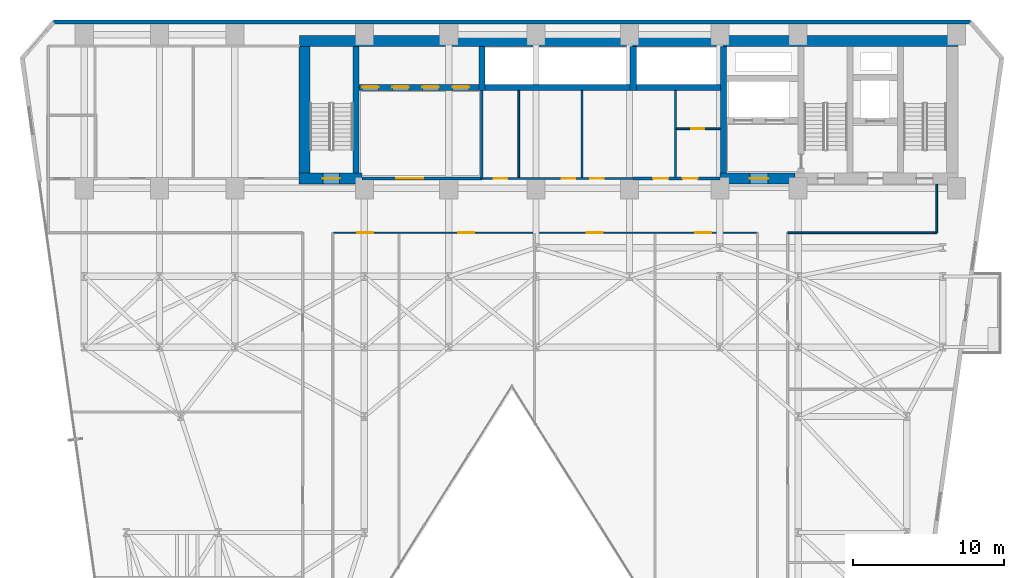
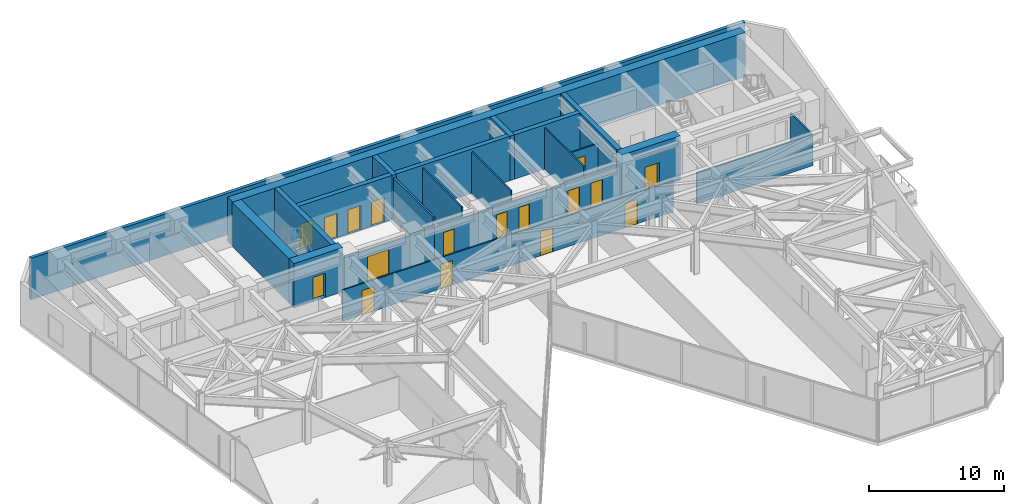
# One storey, part 20 of 25: 23 walls, 17 doors, 17 openings.
"""IFC4 building model written with IfcOpenShell, lengths in metres."""

from ifc_helpers import new_model, si_unit, direction, frame, frame_2d, origin, place, context, subcontext, project, spatial, rectangle, extrude, material, layer, layer_set, type_object, element, fill, save


model = new_model("IFC4")

# Units and contexts
model_context = context("Model", 3, precision=1e-05, world=origin(), true_north=direction((0.0, 1.0)))
body_context = subcontext(model_context, "Body", "Model", "MODEL_VIEW")
ifc_project = project(units=[si_unit("LENGTHUNIT", "METRE"), si_unit("AREAUNIT", "SQUARE_METRE"), si_unit("VOLUMEUNIT", "CUBIC_METRE"), si_unit("PLANEANGLEUNIT", "RADIAN"), si_unit("MASSUNIT", "GRAM", prefix="KILO")], contexts=[model_context])

# Site, building, storey
site_placement = place(None, origin())
site = spatial("IfcSite", under=ifc_project, at=site_placement, CompositionType="ELEMENT")
building_placement = place(site_placement, origin())
building = spatial("IfcBuilding", under=site, at=building_placement, Name="Kravanh Interchange Tower", CompositionType="ELEMENT")
storey_placement = place(building_placement, frame((0.0, 0.0, 49.5)))
storey = spatial("IfcBuildingStorey", under=building, at=storey_placement, Name="L11", CompositionType="ELEMENT", Elevation=49.5)

# Wall
ifc_material_1 = material(Name="Double Acoustic Gypsum Board and Mineral Wool")
ifc_layer_1 = layer(ifc_material_1, 0.1201171875)
ifc_layer_set_1 = layer_set([ifc_layer_1], Name="Acoustic Office Drywall Partition 120mm")
wall_type_1 = type_object("IfcWallType", Name="Acoustic Office Drywall Partition 120mm", PredefinedType="PARTITIONING", material=ifc_layer_set_1)
wall_1_placement = place(storey_placement, frame((47.85009765625, 38.068115234375, 0.0), z_axis=(0.0, 0.0, 1.0), x_axis=(0.0, 1.0, 0.0)))
element("IfcWall", 1, at=wall_1_placement, inside=storey, type_object=wall_type_1, Name="L11 Interior Partition 2", PredefinedType="PARTITIONING", context=body_context, shape_type="SweptSolid", body=[
    extrude(rectangle(XDim=5.77392578125, YDim=0.1201171875, at=frame_2d((2.886962890625, 0.0))), origin(), (0.0, 0.0, 1.0), 3.739990234375),
])

# Wall, opening, door
wall_2_placement = place(storey_placement, frame((47.91796875, 41.300048828125, 0.0), z_axis=(0.0, 0.0, 1.0), x_axis=(1.0, 0.0, 0.0)))
wall_2 = element("IfcWall", 2, at=wall_2_placement, inside=storey, type_object=wall_type_1, Name="L11 Interior Partition 3", PredefinedType="PARTITIONING", context=body_context, shape_type="SweptSolid", body=[
    extrude(rectangle(XDim=2.924072265625, YDim=0.1201171875, at=frame_2d((1.4619140625, 0.0))), origin(), (0.0, 0.0, 1.0), 2.81298828125),
])
opening_1_placement = place(wall_2_placement, frame((0.9912109375, 0.0, 0.0)))
opening_1 = element("IfcOpeningElement", 3, at=opening_1_placement, cuts=wall_2, Name="Opening D-85", PredefinedType="OPENING", context=body_context, shape_type="SweptSolid", body=[
    extrude(rectangle(XDim=0.85009765625, YDim=2.10009765625, at=frame_2d((0.425048828125, 1.050048828125))), frame((0.0, 0.070068359375, 0.0), z_axis=(0.0, -1.0, 0.0), x_axis=(1.0, 0.0, 0.0)), (0.0, 0.0, 1.0), 0.14013671875),
])
ifc_material_2 = material(Name="Engineered Teak Veneer Timber", Category="wood")
door_type_1 = type_object("IfcDoorType", Name="En-Suite Timber Door 850x2100", OperationType="NOTDEFINED", PredefinedType="DOOR", material=ifc_material_2)
door_1_placement = place(opening_1_placement, origin())
door_1 = element("IfcDoor", 4, at=door_1_placement, inside=storey, type_object=door_type_1, Name="L11 Core Supply Inner Door", OperationType="SINGLE_SWING_LEFT", OverallHeight=2.10009765625, OverallWidth=0.85009765625, PredefinedType="DOOR", context=body_context, shape_type="SweptSolid", body=[
    extrude(rectangle(XDim=0.85009765625, YDim=2.10009765625, at=frame_2d((0.425048828125, 1.050048828125))), frame((0.0, 0.02490234375, 0.0), z_axis=(0.0, -1.0, 0.0), x_axis=(1.0, 0.0, 0.0)), (0.0, 0.0, 1.0), 0.050048828125),
])
fill(opening_1, door_1)

# Walls
for number, where, z_axis, x_axis, name in (
    (5, (37.449951171875, 38.068115234375, 0.0), (0.0, 0.0, 1.0), (0.0, 1.0, 0.0), "L11 Interior Partition 7"),
    (6, (41.64990234375, 38.068115234375, 0.0), (0.0, 0.0, 1.0), (0.0, 1.0, 0.0), "L11 Interior Partition 8"),
):
    element("IfcWall", number, at=place(storey_placement, frame(where, z_axis=z_axis, x_axis=x_axis)), inside=storey, type_object=wall_type_1, Name=name, PredefinedType="PARTITIONING", context=body_context, shape_type="SweptSolid", body=[
        extrude(rectangle(XDim=5.77392578125, YDim=0.1201171875, at=frame_2d((2.886962890625, 0.0))), origin(), (0.0, 0.0, 1.0), 3.739990234375),
    ])

# Wall, openings, doors
wall_3_placement = place(storey_placement, frame((25.10009765625, 34.39990234375, 0.0), z_axis=(0.0, 0.0, 1.0), x_axis=(1.0, 0.0, 0.0)))
wall_3 = element("IfcWall", 7, at=wall_3_placement, inside=storey, type_object=wall_type_1, Name="L11 Interior Partition 16", PredefinedType="PARTITIONING", context=body_context, shape_type="SweptSolid", body=[
    extrude(rectangle(XDim=28.199951171875, YDim=0.1201171875, at=frame_2d((14.10009765625, 0.0))), origin(), (0.0, 0.0, 1.0), 2.81298828125),
])
opening_2_placement = place(wall_3_placement, frame((1.63427734375, 0.0, 0.0)))
opening_2 = element("IfcOpeningElement", 8, at=opening_2_placement, cuts=wall_3, Name="Opening D-105", PredefinedType="OPENING", context=body_context, shape_type="SweptSolid", body=[
    extrude(rectangle(XDim=1.050048828125, YDim=2.199951171875, at=frame_2d((0.52490234375, 1.10009765625))), frame((0.0, 0.070068359375, 0.0), z_axis=(0.0, -1.0, 0.0), x_axis=(1.0, 0.0, 0.0)), (0.0, 0.0, 1.0), 0.14013671875),
])
opening_3_placement = place(wall_3_placement, frame((8.3349609375, 0.0, 0.0)))
opening_3 = element("IfcOpeningElement", 9, at=opening_3_placement, cuts=wall_3, Name="Opening D-105", PredefinedType="OPENING", context=body_context, shape_type="SweptSolid", body=[
    extrude(rectangle(XDim=1.050048828125, YDim=2.199951171875, at=frame_2d((0.52490234375, 1.10009765625))), frame((0.0, 0.070068359375, 0.0), z_axis=(0.0, -1.0, 0.0), x_axis=(1.0, 0.0, 0.0)), (0.0, 0.0, 1.0), 0.14013671875),
])
opening_4_placement = place(wall_3_placement, frame((16.875, 0.0, 0.0)))
opening_4 = element("IfcOpeningElement", 10, at=opening_4_placement, cuts=wall_3, Name="Opening D-105", PredefinedType="OPENING", context=body_context, shape_type="SweptSolid", body=[
    extrude(rectangle(XDim=1.050048828125, YDim=2.199951171875, at=frame_2d((0.52490234375, 1.10009765625))), frame((0.0, 0.070068359375, 0.0), z_axis=(0.0, -1.0, 0.0), x_axis=(1.0, 0.0, 0.0)), (0.0, 0.0, 1.0), 0.14013671875),
])
opening_5_placement = place(wall_3_placement, frame((24.072998046875, 0.0, 0.0)))
opening_5 = element("IfcOpeningElement", 11, at=opening_5_placement, cuts=wall_3, Name="Opening D-105", PredefinedType="OPENING", context=body_context, shape_type="SweptSolid", body=[
    extrude(rectangle(XDim=1.050048828125, YDim=2.199951171875, at=frame_2d((0.52490234375, 1.10009765625))), frame((0.0, 0.070068359375, 0.0), z_axis=(0.0, -1.0, 0.0), x_axis=(1.0, 0.0, 0.0)), (0.0, 0.0, 1.0), 0.14013671875),
])
ifc_material_3 = material(Name="Acoustic Glazed Oak and Aluminium", Category="aluminium")
door_type_2 = type_object("IfcDoorType", Name="Office Workplace Door 1050x2200", OperationType="NOTDEFINED", PredefinedType="DOOR", material=ifc_material_3)
door_2_placement = place(opening_2_placement, origin())
door_2 = element("IfcDoor", 12, at=door_2_placement, inside=storey, type_object=door_type_2, Name="L11 Central Collaboration Lounge Door", OperationType="SINGLE_SWING_RIGHT", OverallHeight=2.199951171875, OverallWidth=1.050048828125, PredefinedType="DOOR", context=body_context, shape_type="SweptSolid", body=[
    extrude(rectangle(XDim=1.050048828125, YDim=2.199951171875, at=frame_2d((0.52490234375, 1.10009765625))), frame((0.0, 0.02490234375, 0.0), z_axis=(0.0, -1.0, 0.0), x_axis=(1.0, 0.0, 0.0)), (0.0, 0.0, 1.0), 0.050048828125),
])
fill(opening_2, door_2)
door_3_placement = place(opening_3_placement, origin())
door_3 = element("IfcDoor", 13, at=door_3_placement, inside=storey, type_object=door_type_2, Name="L11 Team Briefing Meeting Door", OperationType="SINGLE_SWING_LEFT", OverallHeight=2.199951171875, OverallWidth=1.050048828125, PredefinedType="DOOR", context=body_context, shape_type="SweptSolid", body=[
    extrude(rectangle(XDim=1.050048828125, YDim=2.199951171875, at=frame_2d((0.52490234375, 1.10009765625))), frame((0.0, 0.02490234375, 0.0), z_axis=(0.0, -1.0, 0.0), x_axis=(1.0, 0.0, 0.0)), (0.0, 0.0, 1.0), 0.050048828125),
])
fill(opening_3, door_3)
door_4_placement = place(opening_4_placement, origin())
door_4 = element("IfcDoor", 14, at=door_4_placement, inside=storey, type_object=door_type_2, Name="L11 Tea Pantry Kitchenette Door", OperationType="SINGLE_SWING_RIGHT", OverallHeight=2.199951171875, OverallWidth=1.050048828125, PredefinedType="DOOR", context=body_context, shape_type="SweptSolid", body=[
    extrude(rectangle(XDim=1.050048828125, YDim=2.199951171875, at=frame_2d((0.52490234375, 1.10009765625))), frame((0.0, 0.02490234375, 0.0), z_axis=(0.0, -1.0, 0.0), x_axis=(1.0, 0.0, 0.0)), (0.0, 0.0, 1.0), 0.050048828125),
])
fill(opening_4, door_4)
door_5_placement = place(opening_5_placement, origin())
door_5 = element("IfcDoor", 15, at=door_5_placement, inside=storey, type_object=door_type_2, Name="L11 Operations Office Door", OperationType="SINGLE_SWING_LEFT", OverallHeight=2.199951171875, OverallWidth=1.050048828125, PredefinedType="DOOR", context=body_context, shape_type="SweptSolid", body=[
    extrude(rectangle(XDim=1.050048828125, YDim=2.199951171875, at=frame_2d((0.52490234375, 1.10009765625))), frame((0.0, 0.02490234375, 0.0), z_axis=(0.0, -1.0, 0.0), x_axis=(1.0, 0.0, 0.0)), (0.0, 0.0, 1.0), 0.050048828125),
])
fill(opening_5, door_5)

# Walls
wall_4_placement = place(storey_placement, frame((55.300048828125, 34.39990234375, 0.0), z_axis=(0.0, 0.0, 1.0), x_axis=(1.0, 0.0, 0.0)))
element("IfcWall", 16, at=wall_4_placement, inside=storey, type_object=wall_type_1, Name="L11 Interior Partition 17", PredefinedType="PARTITIONING", context=body_context, shape_type="SweptSolid", body=[
    extrude(rectangle(XDim=9.89990234375, YDim=0.1201171875, at=frame_2d((4.949951171875, 0.0))), origin(), (0.0, 0.0, 1.0), 2.81298828125),
])
wall_5_placement = place(storey_placement, frame((65.199951171875, 34.39990234375, 0.0), z_axis=(0.0, 0.0, 1.0), x_axis=(0.0, 1.0, 0.0)))
element("IfcWall", 17, at=wall_5_placement, inside=storey, type_object=wall_type_1, Name="L11 Interior Partition 19", PredefinedType="PARTITIONING", context=body_context, shape_type="SweptSolid", body=[
    extrude(rectangle(XDim=3.217041015625, YDim=0.1201171875, at=frame_2d((1.6083984375, 0.0))), origin(), (0.0, 0.0, 1.0), 2.81298828125),
])
ifc_material_4 = material(Name="Concrete C80/95", Category="concrete")
ifc_layer_2 = layer(ifc_material_4, 0.39990234375)
ifc_layer_set_2 = layer_set([ifc_layer_2], Name="Core Shear Wall Concrete C80/95 400mm")
wall_type_2 = type_object("IfcWallType", Name="Core Shear Wall Concrete C80/95 400mm", PredefinedType="SHEAR", material=ifc_layer_set_2)
wall_6_placement = place(storey_placement, frame((51.050048828125, 38.375, 0.0), z_axis=(0.0, 0.0, 1.0), x_axis=(0.0, 1.0, 0.0)))
element("IfcWall", 18, at=wall_6_placement, inside=storey, type_object=wall_type_2, Name="L11 Firefighting Lobby West Wall", PredefinedType="SHEAR", context=body_context, shape_type="SweptSolid", body=[
    extrude(rectangle(XDim=8.375, YDim=0.39990234375, at=frame_2d((4.1875, 0.0))), origin(), (0.0, 0.0, 1.0), 4.0),
])
wall_7_placement = place(storey_placement, frame((45.25, 44.050048828125, 0.0), z_axis=(0.0, 0.0, 1.0), x_axis=(1.0, 0.0, 0.0)))
element("IfcWall", 19, at=wall_7_placement, inside=storey, type_object=wall_type_2, Name="L11 High-Rise Lift Shaft South Wall", PredefinedType="SHEAR", context=body_context, shape_type="SweptSolid", body=[
    extrude(rectangle(XDim=5.60009765625, YDim=0.39990234375, at=frame_2d((2.800048828125, 0.0))), origin(), (0.0, 0.0, 1.0), 4.0),
])
wall_8_placement = place(storey_placement, frame((45.050048828125, 43.85009765625, 0.0), z_axis=(0.0, 0.0, 1.0), x_axis=(0.0, 1.0, 0.0)))
element("IfcWall", 20, at=wall_8_placement, inside=storey, type_object=wall_type_2, Name="L11 High-Rise Lift Shaft West Wall", PredefinedType="SHEAR", context=body_context, shape_type="SweptSolid", body=[
    extrude(rectangle(XDim=2.89990234375, YDim=0.39990234375, at=frame_2d((1.449951171875, 0.0))), origin(), (0.0, 0.0, 1.0), 4.0),
])
wall_9_placement = place(storey_placement, frame((35.199951171875, 44.050048828125, 0.0), z_axis=(0.0, 0.0, 1.0), x_axis=(1.0, 0.0, 0.0)))
element("IfcWall", 21, at=wall_9_placement, inside=storey, type_object=wall_type_2, Name="L11 Mid-Rise Lift Shaft South Wall", PredefinedType="SHEAR", context=body_context, shape_type="SweptSolid", body=[
    extrude(rectangle(XDim=9.650146484375, YDim=0.39990234375, at=frame_2d((4.8251953125, 0.0))), origin(), (0.0, 0.0, 1.0), 4.0),
])
wall_10_placement = place(storey_placement, frame((35.0, 43.85009765625, 0.0), z_axis=(0.0, 0.0, 1.0), x_axis=(0.0, 1.0, 0.0)))
element("IfcWall", 22, at=wall_10_placement, inside=storey, type_object=wall_type_2, Name="L11 Mid-Rise Lift Shaft West Wall", PredefinedType="SHEAR", context=body_context, shape_type="SweptSolid", body=[
    extrude(rectangle(XDim=2.89990234375, YDim=0.39990234375, at=frame_2d((1.449951171875, 0.0))), origin(), (0.0, 0.0, 1.0), 4.0),
])

# Wall, openings, doors
wall_11_placement = place(storey_placement, frame((26.85009765625, 44.050048828125, 0.0), z_axis=(0.0, 0.0, 1.0), x_axis=(1.0, 0.0, 0.0)))
wall_11 = element("IfcWall", 23, at=wall_11_placement, inside=storey, type_object=wall_type_2, Name="L11 Low-Rise Lift Shaft South Wall", PredefinedType="SHEAR", context=body_context, shape_type="SweptSolid", body=[
    extrude(rectangle(XDim=7.949951171875, YDim=0.39990234375, at=frame_2d((3.97509765625, 0.0))), origin(), (0.0, 0.0, 1.0), 4.0),
])
opening_6_placement = place(wall_11_placement, frame((0.199951171875, 0.0, 0.0)))
opening_6 = element("IfcOpeningElement", 24, at=opening_6_placement, cuts=wall_11, Name="Opening LD01", PredefinedType="OPENING", context=body_context, shape_type="SweptSolid", body=[
    extrude(rectangle(XDim=1.10009765625, YDim=2.199951171875, at=frame_2d((0.550048828125, 1.10009765625))), frame((0.0, 0.2099609375, 0.0), z_axis=(0.0, -1.0, 0.0), x_axis=(1.0, 0.0, 0.0)), (0.0, 0.0, 1.0), 0.419921875),
])
opening_7_placement = place(wall_11_placement, frame((2.199951171875, 0.0, 0.0)))
opening_7 = element("IfcOpeningElement", 25, at=opening_7_placement, cuts=wall_11, Name="Opening LD01", PredefinedType="OPENING", context=body_context, shape_type="SweptSolid", body=[
    extrude(rectangle(XDim=1.10009765625, YDim=2.199951171875, at=frame_2d((0.550048828125, 1.10009765625))), frame((0.0, 0.2099609375, 0.0), z_axis=(0.0, -1.0, 0.0), x_axis=(1.0, 0.0, 0.0)), (0.0, 0.0, 1.0), 0.419921875),
])
opening_8_placement = place(wall_11_placement, frame((4.199951171875, 0.0, 0.0)))
opening_8 = element("IfcOpeningElement", 26, at=opening_8_placement, cuts=wall_11, Name="Opening LD01", PredefinedType="OPENING", context=body_context, shape_type="SweptSolid", body=[
    extrude(rectangle(XDim=1.10009765625, YDim=2.199951171875, at=frame_2d((0.550048828125, 1.10009765625))), frame((0.0, 0.2099609375, 0.0), z_axis=(0.0, -1.0, 0.0), x_axis=(1.0, 0.0, 0.0)), (0.0, 0.0, 1.0), 0.419921875),
])
opening_9_placement = place(wall_11_placement, frame((6.199951171875, 0.0, 0.0)))
opening_9 = element("IfcOpeningElement", 27, at=opening_9_placement, cuts=wall_11, Name="Opening LD01", PredefinedType="OPENING", context=body_context, shape_type="SweptSolid", body=[
    extrude(rectangle(XDim=1.10009765625, YDim=2.199951171875, at=frame_2d((0.550048828125, 1.10009765625))), frame((0.0, 0.2099609375, 0.0), z_axis=(0.0, -1.0, 0.0), x_axis=(1.0, 0.0, 0.0)), (0.0, 0.0, 1.0), 0.419921875),
])
ifc_material_5 = material(Name="Stainless Steel 304", Category="steel")
door_type_3 = type_object("IfcDoorType", Name="Passenger Lift Sliding Landing Door 1100x2200", OperationType="DOUBLE_DOOR_SLIDING", PredefinedType="DOOR", material=ifc_material_5)
door_6_placement = place(opening_6_placement, origin())
door_6 = element("IfcDoor", 28, at=door_6_placement, inside=storey, type_object=door_type_3, Name="L11 Lift LP-L1 Landing Door", OperationType="DOUBLE_DOOR_SLIDING", OverallHeight=2.199951171875, OverallWidth=1.10009765625, PredefinedType="DOOR", context=body_context, shape_type="SweptSolid", body=[
    extrude(rectangle(XDim=1.10009765625, YDim=2.199951171875, at=frame_2d((0.550048828125, 1.10009765625))), frame((0.0, 0.02490234375, 0.0), z_axis=(0.0, -1.0, 0.0), x_axis=(1.0, 0.0, 0.0)), (0.0, 0.0, 1.0), 0.050048828125),
])
fill(opening_6, door_6)
door_7_placement = place(opening_7_placement, origin())
door_7 = element("IfcDoor", 29, at=door_7_placement, inside=storey, type_object=door_type_3, Name="L11 Lift LP-L2 Landing Door", OperationType="DOUBLE_DOOR_SLIDING", OverallHeight=2.199951171875, OverallWidth=1.10009765625, PredefinedType="DOOR", context=body_context, shape_type="SweptSolid", body=[
    extrude(rectangle(XDim=1.10009765625, YDim=2.199951171875, at=frame_2d((0.550048828125, 1.10009765625))), frame((0.0, 0.02490234375, 0.0), z_axis=(0.0, -1.0, 0.0), x_axis=(1.0, 0.0, 0.0)), (0.0, 0.0, 1.0), 0.050048828125),
])
fill(opening_7, door_7)
door_8_placement = place(opening_8_placement, origin())
door_8 = element("IfcDoor", 30, at=door_8_placement, inside=storey, type_object=door_type_3, Name="L11 Lift LP-L3 Landing Door", OperationType="DOUBLE_DOOR_SLIDING", OverallHeight=2.199951171875, OverallWidth=1.10009765625, PredefinedType="DOOR", context=body_context, shape_type="SweptSolid", body=[
    extrude(rectangle(XDim=1.10009765625, YDim=2.199951171875, at=frame_2d((0.550048828125, 1.10009765625))), frame((0.0, 0.02490234375, 0.0), z_axis=(0.0, -1.0, 0.0), x_axis=(1.0, 0.0, 0.0)), (0.0, 0.0, 1.0), 0.050048828125),
])
fill(opening_8, door_8)
door_9_placement = place(opening_9_placement, origin())
door_9 = element("IfcDoor", 31, at=door_9_placement, inside=storey, type_object=door_type_3, Name="L11 Lift LP-L4 Landing Door", OperationType="DOUBLE_DOOR_SLIDING", OverallHeight=2.199951171875, OverallWidth=1.10009765625, PredefinedType="DOOR", context=body_context, shape_type="SweptSolid", body=[
    extrude(rectangle(XDim=1.10009765625, YDim=2.199951171875, at=frame_2d((0.550048828125, 1.10009765625))), frame((0.0, 0.02490234375, 0.0), z_axis=(0.0, -1.0, 0.0), x_axis=(1.0, 0.0, 0.0)), (0.0, 0.0, 1.0), 0.050048828125),
])
fill(opening_9, door_9)

# Walls
wall_12_placement = place(storey_placement, frame((26.64990234375, 38.375, 0.0), z_axis=(0.0, 0.0, 1.0), x_axis=(0.0, 1.0, 0.0)))
element("IfcWall", 32, at=wall_12_placement, inside=storey, type_object=wall_type_2, Name="L11 Stair ST3 East Shear Wall", PredefinedType="SHEAR", context=body_context, shape_type="SweptSolid", body=[
    extrude(rectangle(XDim=8.375, YDim=0.39990234375, at=frame_2d((4.1875, 0.0))), origin(), (0.0, 0.0, 1.0), 4.0),
])
ifc_material_6 = material(Name="Concrete C80/95", Category="concrete")
ifc_layer_3 = layer(ifc_material_6, 0.75)
ifc_layer_set_3 = layer_set([ifc_layer_3], Name="Core Shear Wall Concrete C80/95 750mm")
wall_type_3 = type_object("IfcWallType", Name="Core Shear Wall Concrete C80/95 750mm", PredefinedType="SHEAR", material=ifc_layer_set_3)
wall_13_placement = place(storey_placement, frame((22.89990234375, 47.125, 0.0), z_axis=(0.0, 0.0, 1.0), x_axis=(1.0, 0.0, 0.0)))
element("IfcWall", 33, at=wall_13_placement, inside=storey, type_object=wall_type_3, Name="L11 North Core Shear Wall", PredefinedType="SHEAR", context=body_context, shape_type="SweptSolid", body=[
    extrude(rectangle(XDim=43.7001953125, YDim=0.75, at=frame_2d((21.85009765625, 0.0))), origin(), (0.0, 0.0, 1.0), 4.0),
])

# Wall, opening, door
wall_14_placement = place(storey_placement, frame((50.800048828125, 38.0, 0.0), z_axis=(0.0, 0.0, 1.0), x_axis=(1.0, 0.0, 0.0)))
wall_14 = element("IfcWall", 34, at=wall_14_placement, inside=storey, type_object=wall_type_3, Name="L11 Firefighting Lobby South Shear Wall", PredefinedType="SHEAR", context=body_context, shape_type="SweptSolid", body=[
    extrude(rectangle(XDim=5.0, YDim=0.75, at=frame_2d((2.5, 0.0))), origin(), (0.0, 0.0, 1.0), 4.0),
])
opening_10_placement = place(wall_14_placement, frame((2.0, 0.0, 0.0)))
opening_10 = element("IfcOpeningElement", 35, at=opening_10_placement, cuts=wall_14, Name="Opening D-FSAE-120", PredefinedType="OPENING", context=body_context, shape_type="SweptSolid", body=[
    extrude(rectangle(XDim=1.199951171875, YDim=2.199951171875, at=frame_2d((0.60009765625, 1.10009765625))), frame((0.0, 0.385009765625, 0.0), z_axis=(0.0, -1.0, 0.0), x_axis=(1.0, 0.0, 0.0)), (0.0, 0.0, 1.0), 0.77001953125),
])
ifc_material_7 = material(Name="Structural Steel S355", Category="steel")
door_type_4 = type_object("IfcDoorType", Name="Fire-Rated Refuge and FSAE Door 1200x2200", OperationType="NOTDEFINED", PredefinedType="DOOR", material=ifc_material_7)
door_10_placement = place(opening_10_placement, origin())
door_10 = element("IfcDoor", 36, at=door_10_placement, inside=storey, type_object=door_type_4, Name="L11 Firefighting Lobby Corridor Door", OperationType="SINGLE_SWING_RIGHT", OverallHeight=2.199951171875, OverallWidth=1.199951171875, PredefinedType="DOOR", context=body_context, shape_type="SweptSolid", body=[
    extrude(rectangle(XDim=1.199951171875, YDim=2.199951171875, at=frame_2d((0.60009765625, 1.10009765625))), frame((0.0, 0.02490234375, 0.0), z_axis=(0.0, -1.0, 0.0), x_axis=(1.0, 0.0, 0.0)), (0.0, 0.0, 1.0), 0.050048828125),
])
fill(opening_10, door_10)

wall_15_placement = place(storey_placement, frame((22.85009765625, 38.0, 0.0), z_axis=(0.0, 0.0, 1.0), x_axis=(1.0, 0.0, 0.0)))
wall_15 = element("IfcWall", 37, at=wall_15_placement, inside=storey, type_object=wall_type_3, Name="L11 Stair ST3 South Shear Wall", PredefinedType="SHEAR", context=body_context, shape_type="SweptSolid", body=[
    extrude(rectangle(XDim=4.199951171875, YDim=0.75, at=frame_2d((2.10009765625, 0.0))), origin(), (0.0, 0.0, 1.0), 4.0),
])
opening_11_placement = place(wall_15_placement, frame((1.60009765625, 0.0, 0.0)))
opening_11 = element("IfcOpeningElement", 38, at=opening_11_placement, cuts=wall_15, Name="Opening D-STAIR-110", PredefinedType="OPENING", context=body_context, shape_type="SweptSolid", body=[
    extrude(rectangle(XDim=1.10009765625, YDim=2.199951171875, at=frame_2d((0.550048828125, 1.10009765625))), frame((0.0, 0.385009765625, 0.0), z_axis=(0.0, -1.0, 0.0), x_axis=(1.0, 0.0, 0.0)), (0.0, 0.0, 1.0), 0.77001953125),
])
ifc_material_8 = material(Name="Structural Steel S355", Category="steel")
door_type_5 = type_object("IfcDoorType", Name="Fire-Rated Exit Stair Door 1100x2200", OperationType="NOTDEFINED", PredefinedType="DOOR", material=ifc_material_8)
door_11_placement = place(opening_11_placement, origin())
door_11 = element("IfcDoor", 39, at=door_11_placement, inside=storey, type_object=door_type_5, Name="L11 Exit Stair ST3 Door", OperationType="SINGLE_SWING_RIGHT", OverallHeight=2.199951171875, OverallWidth=1.10009765625, PredefinedType="DOOR", context=body_context, shape_type="SweptSolid", body=[
    extrude(rectangle(XDim=1.10009765625, YDim=2.199951171875, at=frame_2d((0.550048828125, 1.10009765625))), frame((0.0, 0.02490234375, 0.0), z_axis=(0.0, -1.0, 0.0), x_axis=(1.0, 0.0, 0.0)), (0.0, 0.0, 1.0), 0.050048828125),
])
fill(opening_11, door_11)

# Walls
wall_16_placement = place(storey_placement, frame((23.22509765625, 38.375, 0.0), z_axis=(0.0, 0.0, 1.0), x_axis=(0.0, 1.0, 0.0)))
element("IfcWall", 40, at=wall_16_placement, inside=storey, type_object=wall_type_3, Name="L11 Stair ST3 West Shear Wall", PredefinedType="SHEAR", context=body_context, shape_type="SweptSolid", body=[
    extrude(rectangle(XDim=8.375, YDim=0.75, at=frame_2d((4.1875, 0.0))), origin(), (0.0, 0.0, 1.0), 4.0),
])
ifc_material_9 = material(Name="Insulated Precast Concrete C40/50 with Bronze Cladding", Category="concrete")
ifc_layer_4 = layer(ifc_material_9, 0.280029296875)
ifc_layer_set_4 = layer_set([ifc_layer_4], Name="Exterior Insulated Concrete C40/50 Bronze Spandrel Wall 280mm")
wall_type_4 = type_object("IfcWallType", Name="Exterior Insulated Concrete C40/50 Bronze Spandrel Wall 280mm", PredefinedType="STANDARD", material=ifc_layer_set_4)
wall_17_placement = place(storey_placement, frame((6.5546875, 48.3798828125, 0.0), z_axis=(0.0, 0.0, 1.0), x_axis=(1.0, 0.0, 0.0)))
element("IfcWall", 41, at=wall_17_placement, inside=storey, type_object=wall_type_4, Name="L11 Exterior Wall 3", PredefinedType="STANDARD", context=body_context, shape_type="SweptSolid", body=[
    extrude(rectangle(XDim=60.890625, YDim=0.280029296875, at=frame_2d((30.4453125, 0.0))), origin(), (0.0, 0.0, 1.0), 3.739990234375),
])

# Wall, openings, doors
ifc_material_10 = material(Name="Autoclaved Aerated Concrete C30/37 Blockwork", Category="masonry")
ifc_layer_5 = layer(ifc_material_10, 0.179931640625)
ifc_layer_set_5 = layer_set([ifc_layer_5], Name="Fire-Rated Lobby and Corridor Wall Concrete C30/37 180mm")
wall_type_5 = type_object("IfcWallType", Name="Fire-Rated Lobby and Corridor Wall Concrete C30/37 180mm", PredefinedType="STANDARD", material=ifc_layer_set_5)
wall_18_placement = place(storey_placement, frame((45.050048828125, 38.0, 0.0), z_axis=(0.0, 0.0, 1.0), x_axis=(1.0, 0.0, 0.0)))
wall_18 = element("IfcWall", 42, at=wall_18_placement, inside=storey, type_object=wall_type_5, Name="L11 Core South Enclosure 1", PredefinedType="STANDARD", context=body_context, shape_type="SweptSolid", body=[
    extrude(rectangle(XDim=5.75, YDim=0.179931640625, at=frame_2d((2.875, 0.0))), origin(), (0.0, 0.0, 1.0), 2.81298828125),
])
opening_12_placement = place(wall_18_placement, frame((1.324951171875, 0.0, 0.0)))
opening_12 = element("IfcOpeningElement", 43, at=opening_12_placement, cuts=wall_18, Name="Opening D-HOTEL-100", PredefinedType="OPENING", context=body_context, shape_type="SweptSolid", body=[
    extrude(rectangle(XDim=1.0, YDim=2.14990234375, at=frame_2d((0.5, 1.074951171875))), frame((0.0, 0.10009765625, 0.0), z_axis=(0.0, -1.0, 0.0), x_axis=(1.0, 0.0, 0.0)), (0.0, 0.0, 1.0), 0.199951171875),
])
opening_13_placement = place(wall_18_placement, frame((3.27490234375, 0.0, 0.0)))
opening_13 = element("IfcOpeningElement", 44, at=opening_13_placement, cuts=wall_18, Name="Opening D-HOTEL-100", PredefinedType="OPENING", context=body_context, shape_type="SweptSolid", body=[
    extrude(rectangle(XDim=1.0, YDim=2.14990234375, at=frame_2d((0.5, 1.074951171875))), frame((0.0, 0.10009765625, 0.0), z_axis=(0.0, -1.0, 0.0), x_axis=(1.0, 0.0, 0.0)), (0.0, 0.0, 1.0), 0.199951171875),
])
ifc_material_11 = material(Name="Fire-Rated Solid Timber Leaf", Category="wood")
door_type_6 = type_object("IfcDoorType", Name="Fire-Rated Suite Entrance Door 1000x2150", OperationType="NOTDEFINED", PredefinedType="DOOR", material=ifc_material_11)
door_12_placement = place(opening_12_placement, origin())
door_12 = element("IfcDoor", 45, at=door_12_placement, inside=storey, type_object=door_type_6, Name="L11 Core Metering Door", OperationType="SINGLE_SWING_LEFT", OverallHeight=2.14990234375, OverallWidth=1.0, PredefinedType="DOOR", context=body_context, shape_type="SweptSolid", body=[
    extrude(rectangle(XDim=1.0, YDim=2.14990234375, at=frame_2d((0.5, 1.074951171875))), frame((0.0, 0.02490234375, 0.0), z_axis=(0.0, -1.0, 0.0), x_axis=(1.0, 0.0, 0.0)), (0.0, 0.0, 1.0), 0.050048828125),
])
fill(opening_12, door_12)
door_13_placement = place(opening_13_placement, origin())
door_13 = element("IfcDoor", 46, at=door_13_placement, inside=storey, type_object=door_type_6, Name="L11 Core Copy Room Door", OperationType="SINGLE_SWING_RIGHT", OverallHeight=2.14990234375, OverallWidth=1.0, PredefinedType="DOOR", context=body_context, shape_type="SweptSolid", body=[
    extrude(rectangle(XDim=1.0, YDim=2.14990234375, at=frame_2d((0.5, 1.074951171875))), frame((0.0, 0.02490234375, 0.0), z_axis=(0.0, -1.0, 0.0), x_axis=(1.0, 0.0, 0.0)), (0.0, 0.0, 1.0), 0.050048828125),
])
fill(opening_13, door_13)

# Wall
wall_19_placement = place(storey_placement, frame((35.0, 38.0, 0.0), z_axis=(0.0, 0.0, 1.0), x_axis=(0.0, 1.0, 0.0)))
element("IfcWall", 47, at=wall_19_placement, inside=storey, type_object=wall_type_5, Name="L11 Low-Rise Lobby East Wall 4", PredefinedType="STANDARD", context=body_context, shape_type="SweptSolid", body=[
    extrude(rectangle(XDim=5.85009765625, YDim=0.179931640625, at=frame_2d((2.925048828125, 0.0))), origin(), (0.0, 0.0, 1.0), 3.739990234375),
])

# Wall, opening, door
wall_20_placement = place(storey_placement, frame((27.050048828125, 38.0, 0.0), z_axis=(0.0, 0.0, 1.0), x_axis=(1.0, 0.0, 0.0)))
wall_20 = element("IfcWall", 48, at=wall_20_placement, inside=storey, type_object=wall_type_5, Name="L11 Low-Rise Lobby South Wall 5", PredefinedType="STANDARD", context=body_context, shape_type="SweptSolid", body=[
    extrude(rectangle(XDim=7.949951171875, YDim=0.179931640625, at=frame_2d((3.97509765625, 0.0))), origin(), (0.0, 0.0, 1.0), 2.81298828125),
])
opening_14_placement = place(wall_20_placement, frame((2.25, 0.0, 0.0)))
opening_14 = element("IfcOpeningElement", 49, at=opening_14_placement, cuts=wall_20, Name="Opening DBL-180", PredefinedType="OPENING", context=body_context, shape_type="SweptSolid", body=[
    extrude(rectangle(XDim=1.800048828125, YDim=2.199951171875, at=frame_2d((0.89990234375, 1.10009765625))), frame((0.0, 0.10009765625, 0.0), z_axis=(0.0, -1.0, 0.0), x_axis=(1.0, 0.0, 0.0)), (0.0, 0.0, 1.0), 0.199951171875),
])
ifc_material_12 = material(Name="Structural Steel S355", Category="steel")
door_type_7 = type_object("IfcDoorType", Name="Lift Lobby Double Fire Door 1800x2200", OperationType="DOUBLE_DOOR_SINGLE_SWING", PredefinedType="DOOR", material=ifc_material_12)
door_14_placement = place(opening_14_placement, origin())
door_14 = element("IfcDoor", 50, at=door_14_placement, inside=storey, type_object=door_type_7, Name="L11 Low-Rise Lift Lobby Door", OperationType="DOUBLE_DOOR_SINGLE_SWING", OverallHeight=2.199951171875, OverallWidth=1.800048828125, PredefinedType="DOOR", context=body_context, shape_type="SweptSolid", body=[
    extrude(rectangle(XDim=1.800048828125, YDim=2.199951171875, at=frame_2d((0.89990234375, 1.10009765625))), frame((0.0, 0.02490234375, 0.0), z_axis=(0.0, -1.0, 0.0), x_axis=(1.0, 0.0, 0.0)), (0.0, 0.0, 1.0), 0.050048828125),
])
fill(opening_14, door_14)

# Wall, openings, doors
ifc_material_13 = material(Name="Twin Stud Acoustic Gypsum Board Wall")
ifc_layer_6 = layer(ifc_material_13, 0.14990234375)
ifc_layer_set_6 = layer_set([ifc_layer_6], Name="Medium-Duty Acoustic Partition 150mm")
wall_type_6 = type_object("IfcWallType", Name="Medium-Duty Acoustic Partition 150mm", PredefinedType="PARTITIONING", material=ifc_layer_set_6)
wall_21_placement = place(storey_placement, frame((35.0, 38.0, 0.0), z_axis=(0.0, 0.0, 1.0), x_axis=(1.0, 0.0, 0.0)))
wall_21 = element("IfcWall", 51, at=wall_21_placement, inside=storey, type_object=wall_type_6, Name="L11 Core Support South Wall 6", PredefinedType="PARTITIONING", context=body_context, shape_type="SweptSolid", body=[
    extrude(rectangle(XDim=10.050048828125, YDim=0.14990234375, at=frame_2d((5.02490234375, 0.0))), origin(), (0.0, 0.0, 1.0), 2.81298828125),
])
opening_15_placement = place(wall_21_placement, frame((0.78466796875, 0.0, 0.0)))
opening_15 = element("IfcOpeningElement", 52, at=opening_15_placement, cuts=wall_21, Name="Opening D-90", PredefinedType="OPENING", context=body_context, shape_type="SweptSolid", body=[
    extrude(rectangle(XDim=0.89990234375, YDim=2.10009765625, at=frame_2d((0.449951171875, 1.050048828125))), frame((0.0, 0.0849609375, 0.0), z_axis=(0.0, -1.0, 0.0), x_axis=(1.0, 0.0, 0.0)), (0.0, 0.0, 1.0), 0.169921875),
])
opening_16_placement = place(wall_21_placement, frame((5.300048828125, 0.0, 0.0)))
opening_16 = element("IfcOpeningElement", 53, at=opening_16_placement, cuts=wall_21, Name="Opening D-90", PredefinedType="OPENING", context=body_context, shape_type="SweptSolid", body=[
    extrude(rectangle(XDim=0.89990234375, YDim=2.10009765625, at=frame_2d((0.449951171875, 1.050048828125))), frame((0.0, 0.0849609375, 0.0), z_axis=(0.0, -1.0, 0.0), x_axis=(1.0, 0.0, 0.0)), (0.0, 0.0, 1.0), 0.169921875),
])
opening_17_placement = place(wall_21_placement, frame((7.199951171875, 0.0, 0.0)))
opening_17 = element("IfcOpeningElement", 54, at=opening_17_placement, cuts=wall_21, Name="Opening D-90", PredefinedType="OPENING", context=body_context, shape_type="SweptSolid", body=[
    extrude(rectangle(XDim=0.89990234375, YDim=2.10009765625, at=frame_2d((0.449951171875, 1.050048828125))), frame((0.0, 0.0849609375, 0.0), z_axis=(0.0, -1.0, 0.0), x_axis=(1.0, 0.0, 0.0)), (0.0, 0.0, 1.0), 0.169921875),
])
ifc_material_14 = material(Name="Painted Solid-Core Timber", Category="wood")
door_type_8 = type_object("IfcDoorType", Name="Service Room Door 900x2100", OperationType="NOTDEFINED", PredefinedType="DOOR", material=ifc_material_14)
door_15_placement = place(opening_15_placement, origin())
door_15 = element("IfcDoor", 55, at=door_15_placement, inside=storey, type_object=door_type_8, Name="L11 IDF Closet Door", OperationType="SINGLE_SWING_RIGHT", OverallHeight=2.10009765625, OverallWidth=0.89990234375, PredefinedType="DOOR", context=body_context, shape_type="SweptSolid", body=[
    extrude(rectangle(XDim=0.89990234375, YDim=2.10009765625, at=frame_2d((0.449951171875, 1.050048828125))), frame((0.0, 0.02490234375, 0.0), z_axis=(0.0, -1.0, 0.0), x_axis=(1.0, 0.0, 0.0)), (0.0, 0.0, 1.0), 0.050048828125),
])
fill(opening_15, door_15)
door_16_placement = place(opening_16_placement, origin())
door_16 = element("IfcDoor", 56, at=door_16_placement, inside=storey, type_object=door_type_8, Name="L11 AHU Fan Room Door", OperationType="SINGLE_SWING_LEFT", OverallHeight=2.10009765625, OverallWidth=0.89990234375, PredefinedType="DOOR", context=body_context, shape_type="SweptSolid", body=[
    extrude(rectangle(XDim=0.89990234375, YDim=2.10009765625, at=frame_2d((0.449951171875, 1.050048828125))), frame((0.0, 0.02490234375, 0.0), z_axis=(0.0, -1.0, 0.0), x_axis=(1.0, 0.0, 0.0)), (0.0, 0.0, 1.0), 0.050048828125),
])
fill(opening_16, door_16)
door_17_placement = place(opening_17_placement, origin())
door_17 = element("IfcDoor", 57, at=door_17_placement, inside=storey, type_object=door_type_8, Name="L11 Archive Closet Door", OperationType="SINGLE_SWING_RIGHT", OverallHeight=2.10009765625, OverallWidth=0.89990234375, PredefinedType="DOOR", context=body_context, shape_type="SweptSolid", body=[
    extrude(rectangle(XDim=0.89990234375, YDim=2.10009765625, at=frame_2d((0.449951171875, 1.050048828125))), frame((0.0, 0.02490234375, 0.0), z_axis=(0.0, -1.0, 0.0), x_axis=(1.0, 0.0, 0.0)), (0.0, 0.0, 1.0), 0.050048828125),
])
fill(opening_17, door_17)

save(model, "model.ifc")
